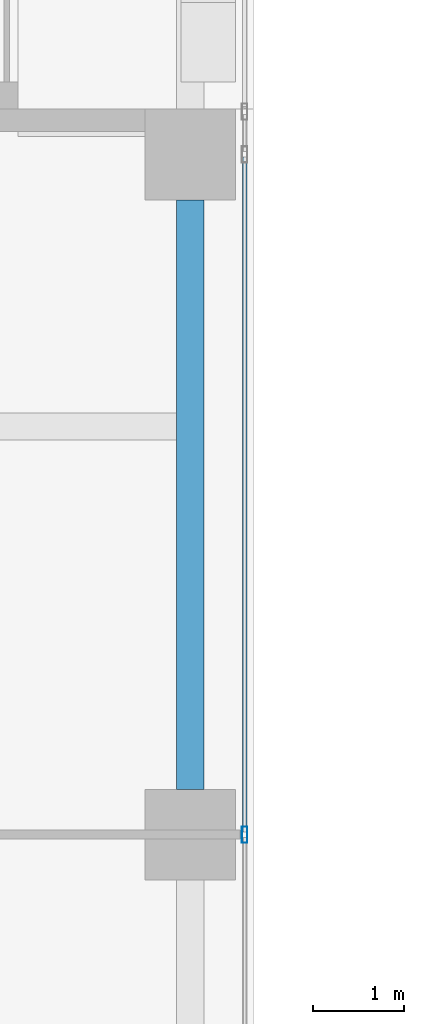
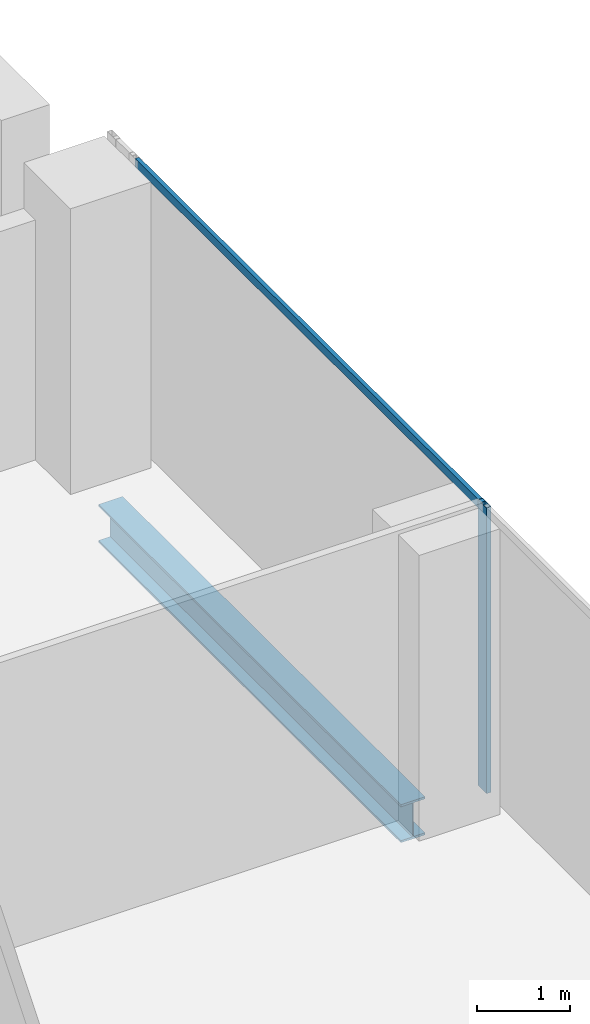
# One storey, part 16 of 38: 2 members, 1 beam, 1 element without a shape of its own.
"""IFC4 building model written with IfcOpenShell, lengths in metres."""

from ifc_helpers import new_model, si_unit, direction, frame, origin, origin_2d, place, context, subcontext, project, spatial, hollow_rectangle, i_section, extrude, source, transform, mapped, material, material_profile, profile_set, type_object, element, aggregate, save


model = new_model("IFC4")

# Units and contexts
model_context = context("Model", 3, precision=1e-05, world=origin(), true_north=direction((0.0, 1.0)))
body_context = subcontext(model_context, "Body", "Model", "MODEL_VIEW")
ifc_project = project(units=[si_unit("LENGTHUNIT", "METRE"), si_unit("AREAUNIT", "SQUARE_METRE"), si_unit("VOLUMEUNIT", "CUBIC_METRE"), si_unit("PLANEANGLEUNIT", "RADIAN"), si_unit("MASSUNIT", "GRAM", prefix="KILO")], contexts=[model_context])

# Site, building, storey
site_placement = place(None, origin())
site = spatial("IfcSite", under=ifc_project, at=site_placement, CompositionType="ELEMENT")
building_placement = place(site_placement, origin())
building = spatial("IfcBuilding", under=site, at=building_placement, Name="Khomas Fold Tower", CompositionType="ELEMENT")
storey_placement = place(building_placement, frame((0.0, 0.0, 196.699951171875)))
storey = spatial("IfcBuildingStorey", under=building, at=storey_placement, Name="L43", CompositionType="ELEMENT", Elevation=196.699951171875)

# Beam
ifc_material_1 = material(Name="Steel S355", Category="steel")
ifc_material_profile_1 = material_profile(ifc_material_1, i_section(OverallWidth=0.300048828125, OverallDepth=0.5, WebThickness=0.014404296875, FlangeThickness=0.028076171875, at=origin_2d()), Name="HE 500 B")
ifc_profile_set_1 = profile_set([ifc_material_profile_1], Name="Steel S355")
beam_type = type_object("IfcBeamType", Name="HE 500 B spandrel SB3", PredefinedType="SPANDREL", material=ifc_profile_set_1)
shared_shape_1 = source(origin(), body_context, "Body", "SweptSolid", [
    extrude(i_section(OverallWidth=0.300048828125, OverallDepth=0.5, WebThickness=0.014404296875, FlangeThickness=0.028076171875, at=origin_2d()), origin(), (0.0, 0.0, 1.0), 6.5),
])
beam_placement = place(storey_placement, frame((50.300048828125, 27.5, -0.5), z_axis=(0.0, 1.0, 0.0), x_axis=(-1.0, 0.0, 0.0)))
element("IfcBeam", 1, at=beam_placement, inside=storey, type_object=beam_type, Name="SB3", PredefinedType="SPANDREL", context=body_context, shape_type="MappedRepresentation", body=[
    mapped(shared_shape_1, transform((0.0, 0.0, 0.0))),
])

# Curtain wall, members
ifc_material_2 = material(Name="Aluminium framed double glazing", Category="aluminium")
curtain_wall_type = type_object("IfcCurtainWallType", Name="SK-Unitised clear-glass wall, office floors CW2", PredefinedType="NOTDEFINED", material=ifc_material_2)
curtain_wall_placement = place(storey_placement, origin())
curtain_wall = element("IfcCurtainWall", 2, at=curtain_wall_placement, inside=storey, type_object=curtain_wall_type, Name="CW2 run L43 03-0", PredefinedType="NOTDEFINED")
ifc_material_3 = material(Name="Aluminium", Category="aluminium")
ifc_material_profile_2 = material_profile(ifc_material_3, hollow_rectangle(XDim=0.06005859375, YDim=0.179931640625, WallThickness=0.00390625, at=origin_2d()), Name="SK-Unitised clear-glass wall, office floors mullion CW2-M")
ifc_profile_set_2 = profile_set([ifc_material_profile_2], Name="Aluminium")
member_type_1 = type_object("IfcMemberType", Name="SK-Unitised clear-glass wall, office floors mullion CW2-M", PredefinedType="MULLION", material=ifc_profile_set_2)
shared_shape_2 = source(origin(), body_context, "Body", "SweptSolid", [
    extrude(hollow_rectangle(XDim=0.06005859375, YDim=0.179931640625, WallThickness=0.00390625, at=origin_2d()), origin(), (0.0, 0.0, 1.0), 3.75),
])
member_1_placement = place(storey_placement, frame((50.89990234375, 27.0, 0.0), z_axis=(0.0, 0.0, 1.0), x_axis=(-1.0, 0.0, 0.0)))
member_1 = element("IfcMember", 3, at=member_1_placement, type_object=member_type_1, Name="CW2 mullion 5", PredefinedType="MULLION", context=body_context, shape_type="MappedRepresentation", body=[
    mapped(shared_shape_2, transform((0.0, 0.0, 0.0))),
])
ifc_material_4 = material(Name="Aluminium", Category="aluminium")
ifc_material_profile_3 = material_profile(ifc_material_4, hollow_rectangle(XDim=0.050048828125, YDim=0.110107421875, WallThickness=0.00390625, at=origin_2d()), Name="SK-Unitised clear-glass wall, office floors transom CW2-T")
ifc_profile_set_3 = profile_set([ifc_material_profile_3], Name="Aluminium")
member_type_2 = type_object("IfcMemberType", Name="SK-Unitised clear-glass wall, office floors transom CW2-T", PredefinedType="USERDEFINED", material=ifc_profile_set_3)
shared_shape_3 = source(origin(), body_context, "Body", "SweptSolid", [
    extrude(hollow_rectangle(XDim=0.050048828125, YDim=0.110107421875, WallThickness=0.00390625, at=origin_2d()), origin(), (0.0, 0.0, 1.0), 7.43994140625),
])
member_2_placement = place(storey_placement, frame((50.89990234375, 27.030029296875, 3.695068359375), z_axis=(0.0, 1.0, 0.0), x_axis=(-1.0, 0.0, 0.0)))
member_2 = element("IfcMember", 4, at=member_2_placement, type_object=member_type_2, Name="CW2 transom 5", ObjectType="TRANSOM", PredefinedType="USERDEFINED", context=body_context, shape_type="MappedRepresentation", body=[
    mapped(shared_shape_3, transform((0.0, 0.0, 0.0))),
])
aggregate(curtain_wall, [member_1, member_2])

save(model, "model.ifc")
